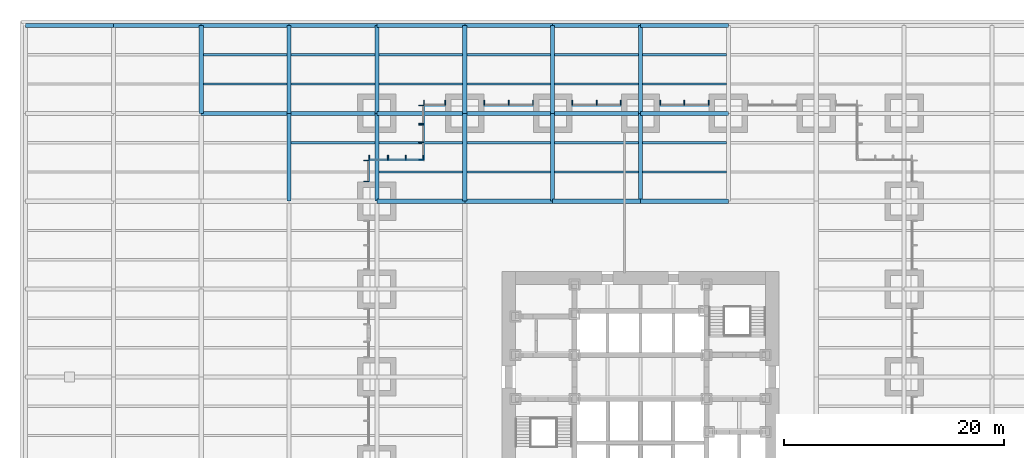
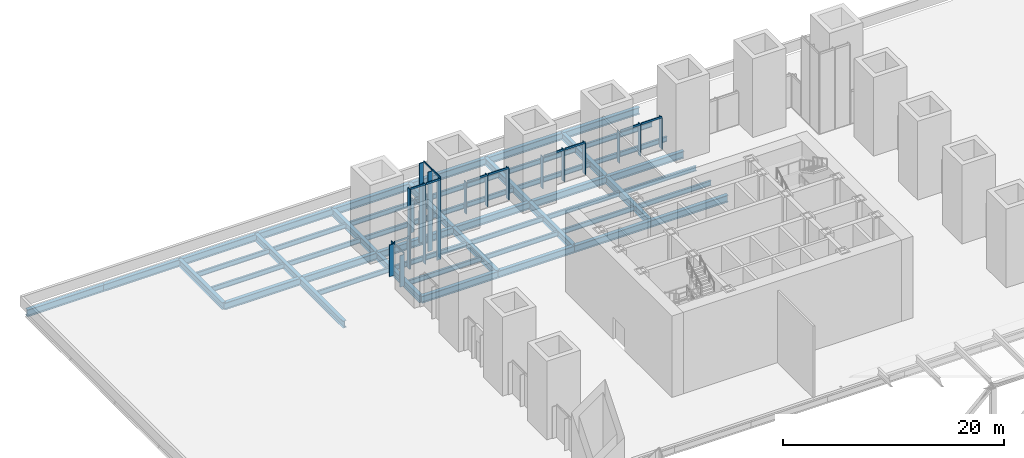
# One storey, part 9 of 20: 50 beams, 37 members, 9 elements without a shape of their own.
"""IFC4 building model written with IfcOpenShell, lengths in metres."""

from ifc_helpers import new_model, si_unit, direction, frame, origin, origin_2d, place, context, subcontext, project, spatial, rectangle, i_section, extrude, material, material_profile, profile_set, type_object, element, aggregate, save


model = new_model("IFC4")

# Units and contexts
model_context = context("Model", 3, precision=1e-05, world=origin(), true_north=direction((0.0, 1.0)))
body_context = subcontext(model_context, "Body", "Model", "MODEL_VIEW")
ifc_project = project(units=[si_unit("LENGTHUNIT", "METRE"), si_unit("AREAUNIT", "SQUARE_METRE"), si_unit("VOLUMEUNIT", "CUBIC_METRE"), si_unit("PLANEANGLEUNIT", "RADIAN"), si_unit("MASSUNIT", "GRAM", prefix="KILO")], contexts=[model_context])

# Site, building, storey
site_placement = place(None, origin())
site = spatial("IfcSite", under=ifc_project, at=site_placement, CompositionType="ELEMENT")
building_placement = place(site_placement, origin())
building = spatial("IfcBuilding", under=site, at=building_placement, Name="Daluyong Arena Tower", CompositionType="ELEMENT")
storey_placement = place(building_placement, frame((0.0, 0.0, 25.89990234375)))
storey = spatial("IfcBuildingStorey", under=building, at=storey_placement, Name="L05", CompositionType="ELEMENT", Elevation=25.89990234375)

# Curtain wall, members
ifc_material_1 = material(Name="Bronze anodised aluminium and glass", Category="aluminium")
curtain_wall_type = type_object("IfcCurtainWallType", Name="Curtain wall CW6", PredefinedType="USERDEFINED", material=ifc_material_1)
curtain_wall_1_placement = place(storey_placement, origin())
curtain_wall_1 = element("IfcCurtainWall", 1, at=curtain_wall_1_placement, inside=storey, type_object=curtain_wall_type, Name="curtain wall L05 N bay 3", ObjectType="UNITISED CURTAIN WALL", PredefinedType="USERDEFINED")
ifc_material_2 = material(Name="Bronze anodised aluminium fin", Category="aluminium")
ifc_material_profile_1 = material_profile(ifc_material_2, rectangle(XDim=0.449951171875, YDim=0.080078125, at=origin_2d()))
ifc_profile_set_1 = profile_set([ifc_material_profile_1], Name="Bronze anodised aluminium fin")
member_type_1 = type_object("IfcMemberType", Name="CW6 bronze fin 450x80", PredefinedType="MULLION", material=ifc_profile_set_1)
member_1_placement = place(storey_placement, frame((62.2099609375, 104.97509765625, 0.0), z_axis=(0.0, 0.0, 1.0), x_axis=(0.0, -1.0, 0.0)))
member_1 = element("IfcMember", 2, at=member_1_placement, type_object=member_type_1, Name="curtain wall L05 N bay 3 fin 1", PredefinedType="MULLION", context=body_context, shape_type="SweptSolid", body=[
    extrude(rectangle(XDim=0.449951171875, YDim=0.080078125, at=origin_2d()), origin(), (0.0, 0.0, 1.0), 3.5),
])
member_2_placement = place(storey_placement, frame((60.0, 104.97509765625, 0.0), z_axis=(0.0, 0.0, 1.0), x_axis=(0.0, -1.0, 0.0)))
member_2 = element("IfcMember", 3, at=member_2_placement, type_object=member_type_1, Name="curtain wall L05 N bay 3 fin 2", PredefinedType="MULLION", context=body_context, shape_type="SweptSolid", body=[
    extrude(rectangle(XDim=0.449951171875, YDim=0.080078125, at=origin_2d()), origin(), (0.0, 0.0, 1.0), 3.5),
])
member_3_placement = place(storey_placement, frame((57.7900390625, 104.97509765625, 0.0), z_axis=(0.0, 0.0, 1.0), x_axis=(0.0, -1.0, 0.0)))
member_3 = element("IfcMember", 4, at=member_3_placement, type_object=member_type_1, Name="curtain wall L05 N bay 3 fin 3", PredefinedType="MULLION", context=body_context, shape_type="SweptSolid", body=[
    extrude(rectangle(XDim=0.449951171875, YDim=0.080078125, at=origin_2d()), origin(), (0.0, 0.0, 1.0), 3.5),
])

curtain_wall_2_placement = place(storey_placement, origin())
curtain_wall_2 = element("IfcCurtainWall", 5, at=curtain_wall_2_placement, inside=storey, type_object=curtain_wall_type, Name="curtain wall L05 N bay 4", ObjectType="UNITISED CURTAIN WALL", PredefinedType="USERDEFINED")
member_4_placement = place(storey_placement, frame((54.2099609375, 104.97509765625, 0.0), z_axis=(0.0, 0.0, 1.0), x_axis=(0.0, -1.0, 0.0)))
member_4 = element("IfcMember", 6, at=member_4_placement, type_object=member_type_1, Name="curtain wall L05 N bay 4 fin 1", PredefinedType="MULLION", context=body_context, shape_type="SweptSolid", body=[
    extrude(rectangle(XDim=0.449951171875, YDim=0.080078125, at=origin_2d()), origin(), (0.0, 0.0, 1.0), 3.5),
])
member_5_placement = place(storey_placement, frame((52.0, 104.97509765625, 0.0), z_axis=(0.0, 0.0, 1.0), x_axis=(0.0, -1.0, 0.0)))
member_5 = element("IfcMember", 7, at=member_5_placement, type_object=member_type_1, Name="curtain wall L05 N bay 4 fin 2", PredefinedType="MULLION", context=body_context, shape_type="SweptSolid", body=[
    extrude(rectangle(XDim=0.449951171875, YDim=0.080078125, at=origin_2d()), origin(), (0.0, 0.0, 1.0), 3.5),
])
member_6_placement = place(storey_placement, frame((49.7900390625, 104.97509765625, 0.0), z_axis=(0.0, 0.0, 1.0), x_axis=(0.0, -1.0, 0.0)))
member_6 = element("IfcMember", 8, at=member_6_placement, type_object=member_type_1, Name="curtain wall L05 N bay 4 fin 3", PredefinedType="MULLION", context=body_context, shape_type="SweptSolid", body=[
    extrude(rectangle(XDim=0.449951171875, YDim=0.080078125, at=origin_2d()), origin(), (0.0, 0.0, 1.0), 3.5),
])

curtain_wall_3_placement = place(storey_placement, origin())
curtain_wall_3 = element("IfcCurtainWall", 9, at=curtain_wall_3_placement, inside=storey, type_object=curtain_wall_type, Name="curtain wall L05 N bay 5", ObjectType="UNITISED CURTAIN WALL", PredefinedType="USERDEFINED")
member_7_placement = place(storey_placement, frame((46.2099609375, 104.97509765625, 0.0), z_axis=(0.0, 0.0, 1.0), x_axis=(0.0, -1.0, 0.0)))
member_7 = element("IfcMember", 10, at=member_7_placement, type_object=member_type_1, Name="curtain wall L05 N bay 5 fin 1", PredefinedType="MULLION", context=body_context, shape_type="SweptSolid", body=[
    extrude(rectangle(XDim=0.449951171875, YDim=0.080078125, at=origin_2d()), origin(), (0.0, 0.0, 1.0), 3.5),
])
member_8_placement = place(storey_placement, frame((44.0, 104.97509765625, 0.0), z_axis=(0.0, 0.0, 1.0), x_axis=(0.0, -1.0, 0.0)))
member_8 = element("IfcMember", 11, at=member_8_placement, type_object=member_type_1, Name="curtain wall L05 N bay 5 fin 2", PredefinedType="MULLION", context=body_context, shape_type="SweptSolid", body=[
    extrude(rectangle(XDim=0.449951171875, YDim=0.080078125, at=origin_2d()), origin(), (0.0, 0.0, 1.0), 3.5),
])
member_9_placement = place(storey_placement, frame((41.7900390625, 104.97509765625, 0.0), z_axis=(0.0, 0.0, 1.0), x_axis=(0.0, -1.0, 0.0)))
member_9 = element("IfcMember", 12, at=member_9_placement, type_object=member_type_1, Name="curtain wall L05 N bay 5 fin 3", PredefinedType="MULLION", context=body_context, shape_type="SweptSolid", body=[
    extrude(rectangle(XDim=0.449951171875, YDim=0.080078125, at=origin_2d()), origin(), (0.0, 0.0, 1.0), 3.5),
])

curtain_wall_4_placement = place(storey_placement, origin())
curtain_wall_4 = element("IfcCurtainWall", 13, at=curtain_wall_4_placement, inside=storey, type_object=curtain_wall_type, Name="curtain wall L05 N bay 6", ObjectType="UNITISED CURTAIN WALL", PredefinedType="USERDEFINED")
member_10_placement = place(storey_placement, frame((38.2099609375, 104.97509765625, 0.0), z_axis=(0.0, 0.0, 1.0), x_axis=(0.0, -1.0, 0.0)))
member_10 = element("IfcMember", 14, at=member_10_placement, type_object=member_type_1, Name="curtain wall L05 N bay 6 fin 1", PredefinedType="MULLION", context=body_context, shape_type="SweptSolid", body=[
    extrude(rectangle(XDim=0.449951171875, YDim=0.080078125, at=origin_2d()), origin(), (0.0, 0.0, 1.0), 3.5),
])
member_11_placement = place(storey_placement, frame((36.2900390625, 104.97509765625, 0.0), z_axis=(0.0, 0.0, 1.0), x_axis=(0.0, -1.0, 0.0)))
member_11 = element("IfcMember", 15, at=member_11_placement, type_object=member_type_1, Name="curtain wall L05 N bay 6 fin 2", PredefinedType="MULLION", context=body_context, shape_type="SweptSolid", body=[
    extrude(rectangle(XDim=0.449951171875, YDim=0.080078125, at=origin_2d()), origin(), (0.0, 0.0, 1.0), 3.5),
])

curtain_wall_5_placement = place(storey_placement, origin())
curtain_wall_5 = element("IfcCurtainWall", 16, at=curtain_wall_5_placement, inside=storey, type_object=curtain_wall_type, Name="curtain wall L05 NW-W bay 1", ObjectType="UNITISED CURTAIN WALL", PredefinedType="USERDEFINED")
member_12_placement = place(storey_placement, frame((36.02490234375, 104.7099609375, 0.0), z_axis=(0.0, 0.0, 1.0), x_axis=(1.0, 0.0, 0.0)))
member_12 = element("IfcMember", 17, at=member_12_placement, type_object=member_type_1, Name="curtain wall L05 NW-W bay 1 fin 1", PredefinedType="MULLION", context=body_context, shape_type="SweptSolid", body=[
    extrude(rectangle(XDim=0.449951171875, YDim=0.080078125, at=origin_2d()), origin(), (0.0, 0.0, 1.0), 3.5),
])
member_13_placement = place(storey_placement, frame((36.02490234375, 103.0400390625, 0.0), z_axis=(0.0, 0.0, 1.0), x_axis=(1.0, 0.0, 0.0)))
member_13 = element("IfcMember", 18, at=member_13_placement, type_object=member_type_1, Name="curtain wall L05 NW-W bay 1 fin 2", PredefinedType="MULLION", context=body_context, shape_type="SweptSolid", body=[
    extrude(rectangle(XDim=0.449951171875, YDim=0.080078125, at=origin_2d()), origin(), (0.0, 0.0, 1.0), 3.5),
])

curtain_wall_6_placement = place(storey_placement, origin())
curtain_wall_6 = element("IfcCurtainWall", 19, at=curtain_wall_6_placement, inside=storey, type_object=curtain_wall_type, Name="curtain wall L05 NW-W bay 2", ObjectType="UNITISED CURTAIN WALL", PredefinedType="USERDEFINED")
member_14_placement = place(storey_placement, frame((36.02490234375, 102.9599609375, 0.0), z_axis=(0.0, 0.0, 1.0), x_axis=(1.0, 0.0, 0.0)))
member_14 = element("IfcMember", 20, at=member_14_placement, type_object=member_type_1, Name="curtain wall L05 NW-W bay 2 fin 1", PredefinedType="MULLION", context=body_context, shape_type="SweptSolid", body=[
    extrude(rectangle(XDim=0.449951171875, YDim=0.080078125, at=origin_2d()), origin(), (0.0, 0.0, 1.0), 8.800048828125),
])
member_15_placement = place(storey_placement, frame((36.02490234375, 101.375, 0.0), z_axis=(0.0, 0.0, 1.0), x_axis=(1.0, 0.0, 0.0)))
member_15 = element("IfcMember", 21, at=member_15_placement, type_object=member_type_1, Name="curtain wall L05 NW-W bay 2 fin 2", PredefinedType="MULLION", context=body_context, shape_type="SweptSolid", body=[
    extrude(rectangle(XDim=0.449951171875, YDim=0.080078125, at=origin_2d()), origin(), (0.0, 0.0, 1.0), 8.800048828125),
])
member_16_placement = place(storey_placement, frame((36.02490234375, 99.7900390625, 0.0), z_axis=(0.0, 0.0, 1.0), x_axis=(1.0, 0.0, 0.0)))
member_16 = element("IfcMember", 22, at=member_16_placement, type_object=member_type_1, Name="curtain wall L05 NW-W bay 2 fin 3", PredefinedType="MULLION", context=body_context, shape_type="SweptSolid", body=[
    extrude(rectangle(XDim=0.449951171875, YDim=0.080078125, at=origin_2d()), origin(), (0.0, 0.0, 1.0), 8.800048828125),
])

curtain_wall_7_placement = place(storey_placement, origin())
curtain_wall_7 = element("IfcCurtainWall", 23, at=curtain_wall_7_placement, inside=storey, type_object=curtain_wall_type, Name="curtain wall L05 NW-N bay 1", ObjectType="UNITISED CURTAIN WALL", PredefinedType="USERDEFINED")
member_17_placement = place(storey_placement, frame((36.2099609375, 99.97509765625, 0.0), z_axis=(0.0, 0.0, 1.0), x_axis=(0.0, -1.0, 0.0)))
member_17 = element("IfcMember", 24, at=member_17_placement, type_object=member_type_1, Name="curtain wall L05 NW-N bay 1 fin 1", PredefinedType="MULLION", context=body_context, shape_type="SweptSolid", body=[
    extrude(rectangle(XDim=0.449951171875, YDim=0.080078125, at=origin_2d()), origin(), (0.0, 0.0, 1.0), 8.800048828125),
])
member_18_placement = place(storey_placement, frame((34.625, 99.97509765625, 0.0), z_axis=(0.0, 0.0, 1.0), x_axis=(0.0, -1.0, 0.0)))
member_18 = element("IfcMember", 25, at=member_18_placement, type_object=member_type_1, Name="curtain wall L05 NW-N bay 1 fin 2", PredefinedType="MULLION", context=body_context, shape_type="SweptSolid", body=[
    extrude(rectangle(XDim=0.449951171875, YDim=0.080078125, at=origin_2d()), origin(), (0.0, 0.0, 1.0), 8.800048828125),
])
member_19_placement = place(storey_placement, frame((33.0400390625, 99.97509765625, 0.0), z_axis=(0.0, 0.0, 1.0), x_axis=(0.0, -1.0, 0.0)))
member_19 = element("IfcMember", 26, at=member_19_placement, type_object=member_type_1, Name="curtain wall L05 NW-N bay 1 fin 3", PredefinedType="MULLION", context=body_context, shape_type="SweptSolid", body=[
    extrude(rectangle(XDim=0.449951171875, YDim=0.080078125, at=origin_2d()), origin(), (0.0, 0.0, 1.0), 8.800048828125),
])

curtain_wall_8_placement = place(storey_placement, origin())
curtain_wall_8 = element("IfcCurtainWall", 27, at=curtain_wall_8_placement, inside=storey, type_object=curtain_wall_type, Name="curtain wall L05 NW-N bay 2", ObjectType="UNITISED CURTAIN WALL", PredefinedType="USERDEFINED")
member_20_placement = place(storey_placement, frame((32.9599609375, 99.97509765625, 0.0), z_axis=(0.0, 0.0, 1.0), x_axis=(0.0, -1.0, 0.0)))
member_20 = element("IfcMember", 28, at=member_20_placement, type_object=member_type_1, Name="curtain wall L05 NW-N bay 2 fin 1", PredefinedType="MULLION", context=body_context, shape_type="SweptSolid", body=[
    extrude(rectangle(XDim=0.449951171875, YDim=0.080078125, at=origin_2d()), origin(), (0.0, 0.0, 1.0), 3.5),
])
member_21_placement = place(storey_placement, frame((31.2900390625, 99.97509765625, 0.0), z_axis=(0.0, 0.0, 1.0), x_axis=(0.0, -1.0, 0.0)))
member_21 = element("IfcMember", 29, at=member_21_placement, type_object=member_type_1, Name="curtain wall L05 NW-N bay 2 fin 2", PredefinedType="MULLION", context=body_context, shape_type="SweptSolid", body=[
    extrude(rectangle(XDim=0.449951171875, YDim=0.080078125, at=origin_2d()), origin(), (0.0, 0.0, 1.0), 3.5),
])

curtain_wall_9_placement = place(storey_placement, origin())
curtain_wall_9 = element("IfcCurtainWall", 30, at=curtain_wall_9_placement, inside=storey, type_object=curtain_wall_type, Name="curtain wall L05 W bay 1", ObjectType="UNITISED CURTAIN WALL", PredefinedType="USERDEFINED")
member_22_placement = place(storey_placement, frame((31.02490234375, 99.7099609375, 0.0), z_axis=(0.0, 0.0, 1.0), x_axis=(1.0, 0.0, 0.0)))
member_22 = element("IfcMember", 31, at=member_22_placement, type_object=member_type_1, Name="curtain wall L05 W bay 1 fin 1", PredefinedType="MULLION", context=body_context, shape_type="SweptSolid", body=[
    extrude(rectangle(XDim=0.449951171875, YDim=0.080078125, at=origin_2d()), origin(), (0.0, 0.0, 1.0), 3.5),
])
member_23_placement = place(storey_placement, frame((31.02490234375, 97.7900390625, 0.0), z_axis=(0.0, 0.0, 1.0), x_axis=(1.0, 0.0, 0.0)))
member_23 = element("IfcMember", 32, at=member_23_placement, type_object=member_type_1, Name="curtain wall L05 W bay 1 fin 2", PredefinedType="MULLION", context=body_context, shape_type="SweptSolid", body=[
    extrude(rectangle(XDim=0.449951171875, YDim=0.080078125, at=origin_2d()), origin(), (0.0, 0.0, 1.0), 3.5),
])

# Member
ifc_material_3 = material(Name="Bronze anodised aluminium", Category="aluminium")
ifc_material_profile_2 = material_profile(ifc_material_3, rectangle(XDim=0.080078125, YDim=0.199951171875, at=origin_2d()))
ifc_profile_set_2 = profile_set([ifc_material_profile_2], Name="Bronze anodised aluminium")
member_type_2 = type_object("IfcMemberType", Name="CW6 stack transom 200x80", PredefinedType="USERDEFINED", material=ifc_profile_set_2)
member_24_placement = place(storey_placement, frame((62.169921875, 104.75, 3.60009765625), z_axis=(-1.0, 0.0, 0.0), x_axis=(0.0, -1.0, 0.0)))
member_24 = element("IfcMember", 33, at=member_24_placement, type_object=member_type_2, Name="curtain wall L05 N bay 3 transom 1", ObjectType="TRANSOM", PredefinedType="USERDEFINED", context=body_context, shape_type="SweptSolid", body=[
    extrude(rectangle(XDim=0.080078125, YDim=0.199951171875, at=origin_2d()), origin(), (0.0, 0.0, 1.0), 2.1298828125),
])

member_25_placement = place(storey_placement, frame((59.9599609375, 104.75, 3.60009765625), z_axis=(-1.0, 0.0, 0.0), x_axis=(0.0, -1.0, 0.0)))
member_25 = element("IfcMember", 34, at=member_25_placement, type_object=member_type_2, Name="curtain wall L05 N bay 3 transom 2", ObjectType="TRANSOM", PredefinedType="USERDEFINED", context=body_context, shape_type="SweptSolid", body=[
    extrude(rectangle(XDim=0.080078125, YDim=0.199951171875, at=origin_2d()), origin(), (0.0, 0.0, 1.0), 2.1298828125),
])

aggregate(curtain_wall_1, [member_1, member_2, member_3, member_24, member_25])

member_26_placement = place(storey_placement, frame((54.169921875, 104.75, 3.60009765625), z_axis=(-1.0, 0.0, 0.0), x_axis=(0.0, -1.0, 0.0)))
member_26 = element("IfcMember", 35, at=member_26_placement, type_object=member_type_2, Name="curtain wall L05 N bay 4 transom 1", ObjectType="TRANSOM", PredefinedType="USERDEFINED", context=body_context, shape_type="SweptSolid", body=[
    extrude(rectangle(XDim=0.080078125, YDim=0.199951171875, at=origin_2d()), origin(), (0.0, 0.0, 1.0), 2.1298828125),
])

member_27_placement = place(storey_placement, frame((51.9599609375, 104.75, 3.60009765625), z_axis=(-1.0, 0.0, 0.0), x_axis=(0.0, -1.0, 0.0)))
member_27 = element("IfcMember", 36, at=member_27_placement, type_object=member_type_2, Name="curtain wall L05 N bay 4 transom 2", ObjectType="TRANSOM", PredefinedType="USERDEFINED", context=body_context, shape_type="SweptSolid", body=[
    extrude(rectangle(XDim=0.080078125, YDim=0.199951171875, at=origin_2d()), origin(), (0.0, 0.0, 1.0), 2.1298828125),
])

aggregate(curtain_wall_2, [member_4, member_5, member_6, member_26, member_27])

member_28_placement = place(storey_placement, frame((46.169921875, 104.75, 3.60009765625), z_axis=(-1.0, 0.0, 0.0), x_axis=(0.0, -1.0, 0.0)))
member_28 = element("IfcMember", 37, at=member_28_placement, type_object=member_type_2, Name="curtain wall L05 N bay 5 transom 1", ObjectType="TRANSOM", PredefinedType="USERDEFINED", context=body_context, shape_type="SweptSolid", body=[
    extrude(rectangle(XDim=0.080078125, YDim=0.199951171875, at=origin_2d()), origin(), (0.0, 0.0, 1.0), 2.1298828125),
])

member_29_placement = place(storey_placement, frame((43.9599609375, 104.75, 3.60009765625), z_axis=(-1.0, 0.0, 0.0), x_axis=(0.0, -1.0, 0.0)))
member_29 = element("IfcMember", 38, at=member_29_placement, type_object=member_type_2, Name="curtain wall L05 N bay 5 transom 2", ObjectType="TRANSOM", PredefinedType="USERDEFINED", context=body_context, shape_type="SweptSolid", body=[
    extrude(rectangle(XDim=0.080078125, YDim=0.199951171875, at=origin_2d()), origin(), (0.0, 0.0, 1.0), 2.1298828125),
])

aggregate(curtain_wall_3, [member_7, member_8, member_9, member_28, member_29])

member_30_placement = place(storey_placement, frame((38.169921875, 104.75, 3.60009765625), z_axis=(-1.0, 0.0, 0.0), x_axis=(0.0, -1.0, 0.0)))
member_30 = element("IfcMember", 39, at=member_30_placement, type_object=member_type_2, Name="curtain wall L05 N bay 6 transom 1", ObjectType="TRANSOM", PredefinedType="USERDEFINED", context=body_context, shape_type="SweptSolid", body=[
    extrude(rectangle(XDim=0.080078125, YDim=0.199951171875, at=origin_2d()), origin(), (0.0, 0.0, 1.0), 1.83984375),
])

aggregate(curtain_wall_4, [member_10, member_11, member_30])

member_31_placement = place(storey_placement, frame((36.25, 104.669921875, 3.60009765625), z_axis=(0.0, -1.0, 0.0), x_axis=(1.0, 0.0, 0.0)))
member_31 = element("IfcMember", 40, at=member_31_placement, type_object=member_type_2, Name="curtain wall L05 NW-W bay 1 transom 1", ObjectType="TRANSOM", PredefinedType="USERDEFINED", context=body_context, shape_type="SweptSolid", body=[
    extrude(rectangle(XDim=0.080078125, YDim=0.199951171875, at=origin_2d()), origin(), (0.0, 0.0, 1.0), 1.58984375),
])

aggregate(curtain_wall_5, [member_12, member_13, member_31])

member_32_placement = place(storey_placement, frame((36.25, 102.919921875, 8.900146484375), z_axis=(0.0, -1.0, 0.0), x_axis=(1.0, 0.0, 0.0)))
member_32 = element("IfcMember", 41, at=member_32_placement, type_object=member_type_2, Name="curtain wall L05 NW-W bay 2 transom 1", ObjectType="TRANSOM", PredefinedType="USERDEFINED", context=body_context, shape_type="SweptSolid", body=[
    extrude(rectangle(XDim=0.080078125, YDim=0.199951171875, at=origin_2d()), origin(), (0.0, 0.0, 1.0), 1.5048828125),
])

member_33_placement = place(storey_placement, frame((36.25, 101.3349609375, 8.900146484375), z_axis=(0.0, -1.0, 0.0), x_axis=(1.0, 0.0, 0.0)))
member_33 = element("IfcMember", 42, at=member_33_placement, type_object=member_type_2, Name="curtain wall L05 NW-W bay 2 transom 2", ObjectType="TRANSOM", PredefinedType="USERDEFINED", context=body_context, shape_type="SweptSolid", body=[
    extrude(rectangle(XDim=0.080078125, YDim=0.199951171875, at=origin_2d()), origin(), (0.0, 0.0, 1.0), 1.5048828125),
])

aggregate(curtain_wall_6, [member_14, member_15, member_16, member_32, member_33])

member_34_placement = place(storey_placement, frame((36.169921875, 99.75, 8.900146484375), z_axis=(-1.0, 0.0, 0.0), x_axis=(0.0, -1.0, 0.0)))
member_34 = element("IfcMember", 43, at=member_34_placement, type_object=member_type_2, Name="curtain wall L05 NW-N bay 1 transom 1", ObjectType="TRANSOM", PredefinedType="USERDEFINED", context=body_context, shape_type="SweptSolid", body=[
    extrude(rectangle(XDim=0.080078125, YDim=0.199951171875, at=origin_2d()), origin(), (0.0, 0.0, 1.0), 1.5048828125),
])

member_35_placement = place(storey_placement, frame((34.5849609375, 99.75, 8.900146484375), z_axis=(-1.0, 0.0, 0.0), x_axis=(0.0, -1.0, 0.0)))
member_35 = element("IfcMember", 44, at=member_35_placement, type_object=member_type_2, Name="curtain wall L05 NW-N bay 1 transom 2", ObjectType="TRANSOM", PredefinedType="USERDEFINED", context=body_context, shape_type="SweptSolid", body=[
    extrude(rectangle(XDim=0.080078125, YDim=0.199951171875, at=origin_2d()), origin(), (0.0, 0.0, 1.0), 1.5048828125),
])

aggregate(curtain_wall_7, [member_17, member_18, member_19, member_34, member_35])

member_36_placement = place(storey_placement, frame((32.919921875, 99.75, 3.60009765625), z_axis=(-1.0, 0.0, 0.0), x_axis=(0.0, -1.0, 0.0)))
member_36 = element("IfcMember", 45, at=member_36_placement, type_object=member_type_2, Name="curtain wall L05 NW-N bay 2 transom 1", ObjectType="TRANSOM", PredefinedType="USERDEFINED", context=body_context, shape_type="SweptSolid", body=[
    extrude(rectangle(XDim=0.080078125, YDim=0.199951171875, at=origin_2d()), origin(), (0.0, 0.0, 1.0), 1.58984375),
])

aggregate(curtain_wall_8, [member_20, member_21, member_36])

member_37_placement = place(storey_placement, frame((31.25, 99.669921875, 3.60009765625), z_axis=(0.0, -1.0, 0.0), x_axis=(1.0, 0.0, 0.0)))
member_37 = element("IfcMember", 46, at=member_37_placement, type_object=member_type_2, Name="curtain wall L05 W bay 1 transom 1", ObjectType="TRANSOM", PredefinedType="USERDEFINED", context=body_context, shape_type="SweptSolid", body=[
    extrude(rectangle(XDim=0.080078125, YDim=0.199951171875, at=origin_2d()), origin(), (0.0, 0.0, 1.0), 1.83984375),
])

aggregate(curtain_wall_9, [member_22, member_23, member_37])

# Beams
ifc_material_4 = material(Name="Steel ASTM A992 Grade 50", Category="steel")
ifc_material_profile_3 = material_profile(ifc_material_4, i_section(OverallWidth=0.209228515625, OverallDepth=0.533447265625, WebThickness=0.01025390625, FlangeThickness=0.015625, at=origin_2d()))
ifc_profile_set_3 = profile_set([ifc_material_profile_3], Name="Steel ASTM A992 Grade 50")
beam_type_1 = type_object("IfcBeamType", Name="Podium floor beam W21X62", PredefinedType="BEAM", material=ifc_profile_set_3)
for number, where, z_axis, x_axis, name in (
    (47, (16.1904296875, 106.666748046875, -0.5166015625), (1.0, 0.0, 0.0), (0.0, 1.0, 0.0), "podium floor beam PB1"),
    (48, (16.1904296875, 109.333251953125, -0.5166015625), (1.0, 0.0, 0.0), (0.0, 1.0, 0.0), "podium floor beam PB1"),
    (49, (24.1904296875, 101.333251953125, -0.5166015625), (1.0, 0.0, 0.0), (0.0, 1.0, 0.0), "podium floor beam PB1"),
    (50, (24.1904296875, 106.666748046875, -0.5166015625), (1.0, 0.0, 0.0), (0.0, 1.0, 0.0), "podium floor beam PB1"),
    (51, (24.1904296875, 109.333251953125, -0.5166015625), (1.0, 0.0, 0.0), (0.0, 1.0, 0.0), "podium floor beam PB1"),
    (52, (32.1904296875, 98.666748046875, -0.5166015625), (1.0, 0.0, 0.0), (0.0, 1.0, 0.0), "podium floor beam PB1"),
    (53, (32.1904296875, 101.333251953125, -0.5166015625), (1.0, 0.0, 0.0), (0.0, 1.0, 0.0), "podium floor beam PB1"),
    (54, (32.1904296875, 106.666748046875, -0.5166015625), (1.0, 0.0, 0.0), (0.0, 1.0, 0.0), "podium floor beam PB1"),
    (55, (32.1904296875, 109.333251953125, -0.5166015625), (1.0, 0.0, 0.0), (0.0, 1.0, 0.0), "podium floor beam PB1"),
    (56, (40.1904296875, 98.666748046875, -0.5166015625), (1.0, 0.0, 0.0), (0.0, 1.0, 0.0), "podium floor beam PB1"),
    (57, (40.1904296875, 101.333251953125, -0.5166015625), (1.0, 0.0, 0.0), (0.0, 1.0, 0.0), "podium floor beam PB1"),
    (58, (40.1904296875, 106.666748046875, -0.5166015625), (1.0, 0.0, 0.0), (0.0, 1.0, 0.0), "podium floor beam PB1"),
    (59, (40.1904296875, 109.333251953125, -0.5166015625), (1.0, 0.0, 0.0), (0.0, 1.0, 0.0), "podium floor beam PB1"),
    (60, (48.1904296875, 98.666748046875, -0.5166015625), (1.0, 0.0, 0.0), (0.0, 1.0, 0.0), "podium floor beam PB1"),
    (61, (48.1904296875, 101.333251953125, -0.5166015625), (1.0, 0.0, 0.0), (0.0, 1.0, 0.0), "podium floor beam PB1"),
    (62, (48.1904296875, 106.666748046875, -0.5166015625), (1.0, 0.0, 0.0), (0.0, 1.0, 0.0), "podium floor beam PB1"),
    (63, (48.1904296875, 109.333251953125, -0.5166015625), (1.0, 0.0, 0.0), (0.0, 1.0, 0.0), "podium floor beam PB1"),
    (64, (56.1904296875, 98.666748046875, -0.5166015625), (1.0, 0.0, 0.0), (0.0, 1.0, 0.0), "podium floor beam PB1"),
    (65, (56.1904296875, 101.333251953125, -0.5166015625), (1.0, 0.0, 0.0), (0.0, 1.0, 0.0), "podium floor beam PB1"),
    (66, (56.1904296875, 106.666748046875, -0.5166015625), (1.0, 0.0, 0.0), (0.0, 1.0, 0.0), "podium floor beam PB1"),
    (67, (56.1904296875, 109.333251953125, -0.5166015625), (1.0, 0.0, 0.0), (0.0, 1.0, 0.0), "podium floor beam PB1"),
):
    element("IfcBeam", number, at=place(storey_placement, frame(where, z_axis=z_axis, x_axis=x_axis)), inside=storey, type_object=beam_type_1, Name=name, PredefinedType="BEAM", context=body_context, shape_type="SweptSolid", body=[
        extrude(i_section(OverallWidth=0.209228515625, OverallDepth=0.533447265625, WebThickness=0.01025390625, FlangeThickness=0.015625, at=origin_2d()), origin(), (0.0, 0.0, 1.0), 7.619140625),
    ])
ifc_material_5 = material(Name="Steel ASTM A992 Grade 50", Category="steel")
ifc_material_profile_4 = material_profile(ifc_material_5, i_section(OverallWidth=0.381103515625, OverallDepth=0.772216796875, WebThickness=0.0166015625, FlangeThickness=0.027099609375, at=origin_2d()))
ifc_profile_set_4 = profile_set([ifc_material_profile_4], Name="Steel ASTM A992 Grade 50")
beam_type_2 = type_object("IfcBeamType", Name="Podium girder W30X173", PredefinedType="BEAM", material=ifc_profile_set_4)
for number, where, z_axis, x_axis, name in (
    (68, (0.0, 112.0, -0.635986328125), (1.0, 0.0, 0.0), (0.0, 1.0, 0.0), "podium girder PG1"),
    (69, (8.0, 112.0, -0.635986328125), (1.0, 0.0, 0.0), (0.0, 1.0, 0.0), "podium girder PG1"),
    (70, (16.0, 104.0, -0.635986328125), (1.0, 0.0, 0.0), (0.0, 1.0, 0.0), "podium girder PG1"),
    (71, (16.0, 104.0, -0.635986328125), (0.0, 1.0, 0.0), (-1.0, 0.0, 0.0), "podium girder PG1"),
    (72, (16.0, 112.0, -0.635986328125), (1.0, 0.0, 0.0), (0.0, 1.0, 0.0), "podium girder PG1"),
    (73, (24.0, 96.0, -0.635986328125), (0.0, 1.0, 0.0), (-1.0, 0.0, 0.0), "podium girder PG1"),
    (74, (24.0, 104.0, -0.635986328125), (1.0, 0.0, 0.0), (0.0, 1.0, 0.0), "podium girder PG1"),
    (75, (24.0, 104.0, -0.635986328125), (0.0, 1.0, 0.0), (-1.0, 0.0, 0.0), "podium girder PG1"),
    (76, (24.0, 112.0, -0.635986328125), (1.0, 0.0, 0.0), (0.0, 1.0, 0.0), "podium girder PG1"),
    (77, (32.0, 96.0, -0.635986328125), (1.0, 0.0, 0.0), (0.0, 1.0, 0.0), "podium girder PG1"),
    (78, (32.0, 96.0, -0.635986328125), (0.0, 1.0, 0.0), (-1.0, 0.0, 0.0), "podium girder PG1"),
    (79, (32.0, 104.0, -0.635986328125), (1.0, 0.0, 0.0), (0.0, 1.0, 0.0), "podium girder PG1"),
    (80, (32.0, 104.0, -0.635986328125), (0.0, 1.0, 0.0), (-1.0, 0.0, 0.0), "podium girder PG1"),
    (81, (32.0, 112.0, -0.635986328125), (1.0, 0.0, 0.0), (0.0, 1.0, 0.0), "podium girder PG1"),
    (82, (40.0, 96.0, -0.635986328125), (1.0, 0.0, 0.0), (0.0, 1.0, 0.0), "podium girder PG1"),
    (83, (40.0, 96.0, -0.635986328125), (0.0, 1.0, 0.0), (-1.0, 0.0, 0.0), "podium girder PG1"),
    (84, (40.0, 104.0, -0.635986328125), (1.0, 0.0, 0.0), (0.0, 1.0, 0.0), "podium girder PG1"),
    (85, (40.0, 104.0, -0.635986328125), (0.0, 1.0, 0.0), (-1.0, 0.0, 0.0), "podium girder PG1"),
    (86, (40.0, 112.0, -0.635986328125), (1.0, 0.0, 0.0), (0.0, 1.0, 0.0), "podium girder PG1"),
    (87, (48.0, 96.0, -0.635986328125), (1.0, 0.0, 0.0), (0.0, 1.0, 0.0), "podium girder PG1"),
    (88, (48.0, 96.0, -0.635986328125), (0.0, 1.0, 0.0), (-1.0, 0.0, 0.0), "podium girder PG1"),
    (89, (48.0, 104.0, -0.635986328125), (1.0, 0.0, 0.0), (0.0, 1.0, 0.0), "podium girder PG1"),
    (90, (48.0, 104.0, -0.635986328125), (0.0, 1.0, 0.0), (-1.0, 0.0, 0.0), "podium girder PG1"),
    (91, (48.0, 112.0, -0.635986328125), (1.0, 0.0, 0.0), (0.0, 1.0, 0.0), "podium girder PG1"),
    (92, (56.0, 96.0, -0.635986328125), (1.0, 0.0, 0.0), (0.0, 1.0, 0.0), "podium girder PG1"),
    (93, (56.0, 96.0, -0.635986328125), (0.0, 1.0, 0.0), (-1.0, 0.0, 0.0), "podium girder PG1"),
    (94, (56.0, 104.0, -0.635986328125), (1.0, 0.0, 0.0), (0.0, 1.0, 0.0), "podium girder PG1"),
    (95, (56.0, 104.0, -0.635986328125), (0.0, 1.0, 0.0), (-1.0, 0.0, 0.0), "podium girder PG1"),
    (96, (56.0, 112.0, -0.635986328125), (1.0, 0.0, 0.0), (0.0, 1.0, 0.0), "podium girder PG1"),
):
    element("IfcBeam", number, at=place(storey_placement, frame(where, z_axis=z_axis, x_axis=x_axis)), inside=storey, type_object=beam_type_2, Name=name, PredefinedType="BEAM", context=body_context, shape_type="SweptSolid", body=[
        extrude(i_section(OverallWidth=0.381103515625, OverallDepth=0.772216796875, WebThickness=0.0166015625, FlangeThickness=0.027099609375, at=origin_2d()), origin(), (0.0, 0.0, 1.0), 8.0),
    ])

save(model, "model.ifc")
